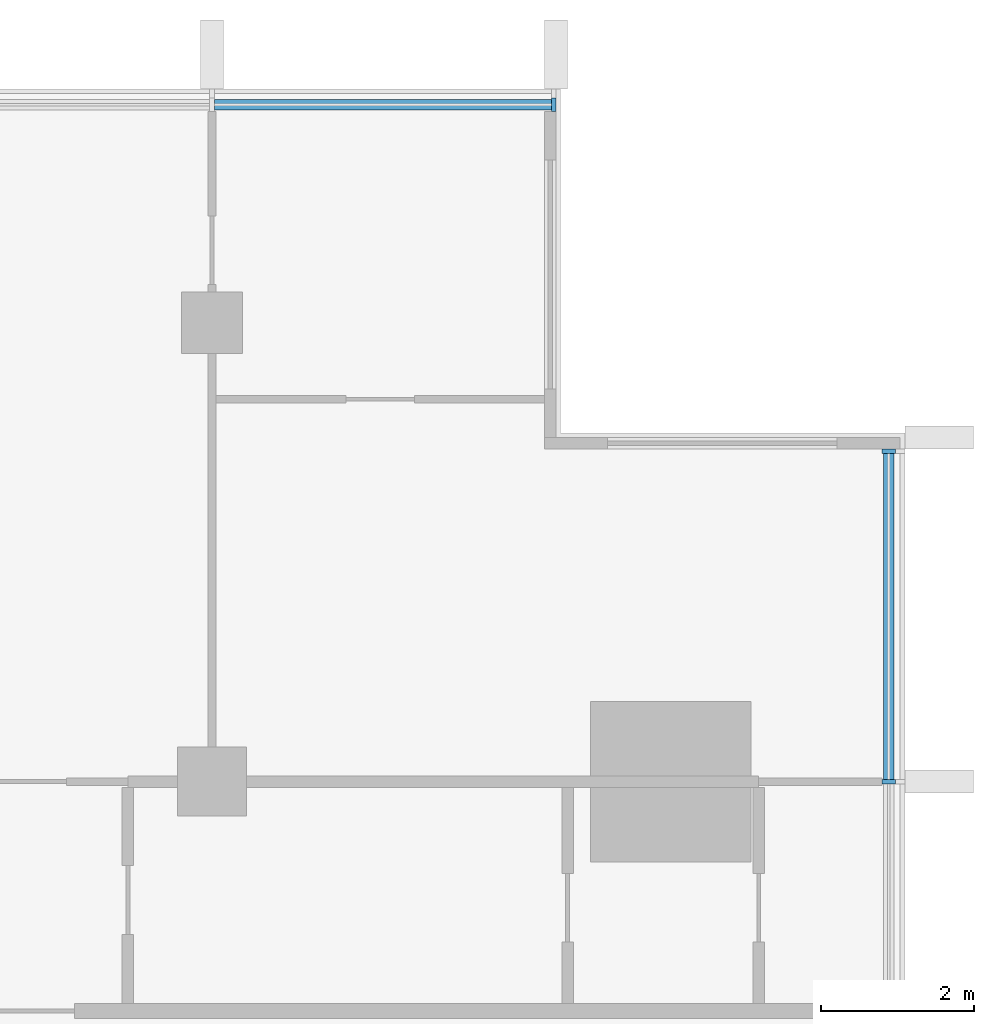
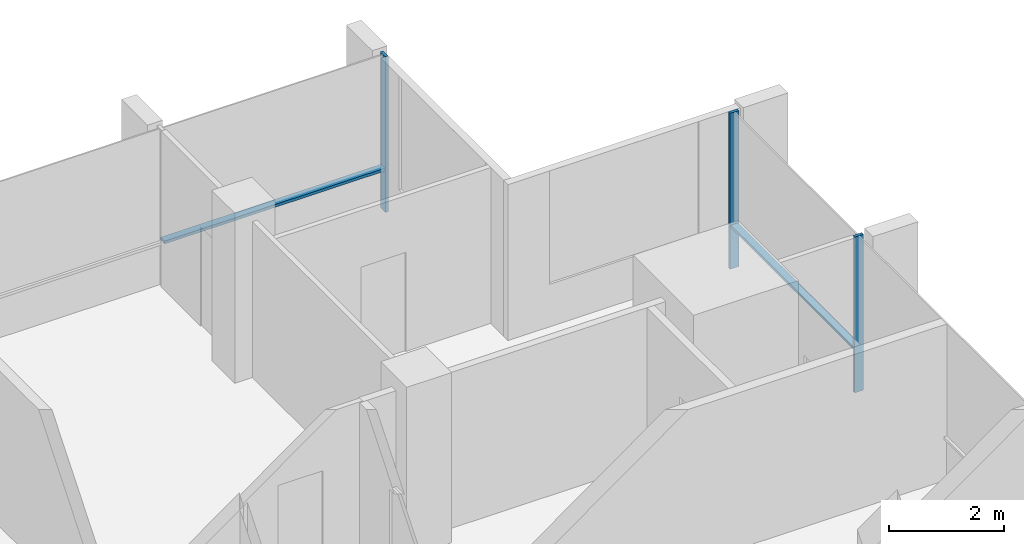
# One storey, part 5 of 16: 5 members, 2 elements without a shape of their own.
"""IFC4 building model written with IfcOpenShell, lengths in metres."""

from ifc_helpers import new_model, si_unit, direction, frame, origin, origin_2d, place, context, subcontext, project, spatial, rectangle, extrude, material, material_profile, profile_set, type_object, element, aggregate, save


model = new_model("IFC4")

# Units and contexts
model_context = context("Model", 3, precision=1e-05, world=origin(), true_north=direction((0.0, 1.0)))
body_context = subcontext(model_context, "Body", "Model", "MODEL_VIEW")
ifc_project = project(units=[si_unit("LENGTHUNIT", "METRE"), si_unit("AREAUNIT", "SQUARE_METRE"), si_unit("VOLUMEUNIT", "CUBIC_METRE"), si_unit("PLANEANGLEUNIT", "RADIAN"), si_unit("MASSUNIT", "GRAM", prefix="KILO")], contexts=[model_context])

# Site, building, storey
site_placement = place(None, origin())
site = spatial("IfcSite", under=ifc_project, at=site_placement, CompositionType="ELEMENT")
building_placement = place(site_placement, origin())
building = spatial("IfcBuilding", under=site, at=building_placement, Name="Finial Court Residences", CompositionType="ELEMENT")
storey_placement = place(building_placement, frame((0.0, 0.0, 215.89990234375)))
storey = spatial("IfcBuildingStorey", under=building, at=storey_placement, Name="L54", CompositionType="ELEMENT", Elevation=215.89990234375)

# Curtain wall, member
ifc_material = material(Name="Bronze anodised aluminium", Category="aluminium")
curtain_wall_type = type_object("IfcCurtainWallType", Name="Unitised curtain wall, upper zones", PredefinedType="NOTDEFINED", material=ifc_material)
curtain_wall_1_placement = place(storey_placement, origin())
curtain_wall_1 = element("IfcCurtainWall", 1, at=curtain_wall_1_placement, inside=storey, type_object=curtain_wall_type, Name="E-L54-CW-N3", PredefinedType="NOTDEFINED")
ifc_material_profile_1 = material_profile(ifc_material, rectangle(XDim=0.175048828125, YDim=0.06005859375, at=origin_2d()), Name="CW2 mullion 60 x 175")
ifc_profile_set_1 = profile_set([ifc_material_profile_1], Name="Bronze anodised aluminium")
member_type_1 = type_object("IfcMemberType", Name="CW2 mullion 60 x 175", PredefinedType="MULLION", material=ifc_profile_set_1)
member_1_placement = place(storey_placement, frame((14.969970703125, 16.35009765625, 0.0), z_axis=(0.0, 0.0, 1.0), x_axis=(0.0, 1.0, 0.0)))
member_1 = element("IfcMember", 2, at=member_1_placement, type_object=member_type_1, Name="CW2 mullion 3", PredefinedType="MULLION", context=body_context, shape_type="SweptSolid", body=[
    extrude(rectangle(XDim=0.175048828125, YDim=0.06005859375, at=origin_2d()), origin(), (0.0, 0.0, 1.0), 3.300048828125),
])

# Curtain wall, members
curtain_wall_2_placement = place(storey_placement, origin())
curtain_wall_2 = element("IfcCurtainWall", 3, at=curtain_wall_2_placement, inside=storey, type_object=curtain_wall_type, Name="E-L54-CW-E6", PredefinedType="NOTDEFINED")
member_2_placement = place(storey_placement, frame((19.35009765625, 7.5, 0.0), z_axis=(0.0, 0.0, 1.0), x_axis=(-1.0, 0.0, 0.0)))
member_2 = element("IfcMember", 4, at=member_2_placement, type_object=member_type_1, Name="CW2 mullion 3", PredefinedType="MULLION", context=body_context, shape_type="SweptSolid", body=[
    extrude(rectangle(XDim=0.175048828125, YDim=0.06005859375, at=origin_2d()), origin(), (0.0, 0.0, 1.0), 3.300048828125),
])
member_3_placement = place(storey_placement, frame((19.35009765625, 11.820068359375, 0.0), z_axis=(0.0, 0.0, 1.0), x_axis=(-1.0, 0.0, 0.0)))
member_3 = element("IfcMember", 5, at=member_3_placement, type_object=member_type_1, Name="CW2 mullion 4", PredefinedType="MULLION", context=body_context, shape_type="SweptSolid", body=[
    extrude(rectangle(XDim=0.175048828125, YDim=0.06005859375, at=origin_2d()), origin(), (0.0, 0.0, 1.0), 3.300048828125),
])

# Member
ifc_material_profile_2 = material_profile(ifc_material, rectangle(XDim=0.139892578125, YDim=0.06005859375, at=origin_2d()), Name="CW2 transom 60 x 140")
ifc_profile_set_2 = profile_set([ifc_material_profile_2], Name="Bronze anodised aluminium")
member_type_2 = type_object("IfcMemberType", Name="CW2 transom 60 x 140", PredefinedType="USERDEFINED", material=ifc_profile_set_2)
member_4_placement = place(storey_placement, frame((10.530029296875, 16.35009765625, 0.900146484375), z_axis=(1.0, 0.0, 0.0), x_axis=(0.0, 1.0, 0.0)))
member_4 = element("IfcMember", 6, at=member_4_placement, type_object=member_type_2, Name="CW2 transom 2.1", ObjectType="TRANSOM", PredefinedType="USERDEFINED", context=body_context, shape_type="SweptSolid", body=[
    extrude(rectangle(XDim=0.139892578125, YDim=0.06005859375, at=origin_2d()), origin(), (0.0, 0.0, 1.0), 4.409912109375),
])

aggregate(curtain_wall_1, [member_1, member_4])

member_5_placement = place(storey_placement, frame((19.35009765625, 7.530029296875, 0.900146484375), z_axis=(0.0, 1.0, 0.0), x_axis=(-1.0, 0.0, 0.0)))
member_5 = element("IfcMember", 7, at=member_5_placement, type_object=member_type_2, Name="CW2 transom 3.1", ObjectType="TRANSOM", PredefinedType="USERDEFINED", context=body_context, shape_type="SweptSolid", body=[
    extrude(rectangle(XDim=0.139892578125, YDim=0.06005859375, at=origin_2d()), origin(), (0.0, 0.0, 1.0), 4.260009765625),
])

aggregate(curtain_wall_2, [member_2, member_3, member_5])

save(model, "model.ifc")
